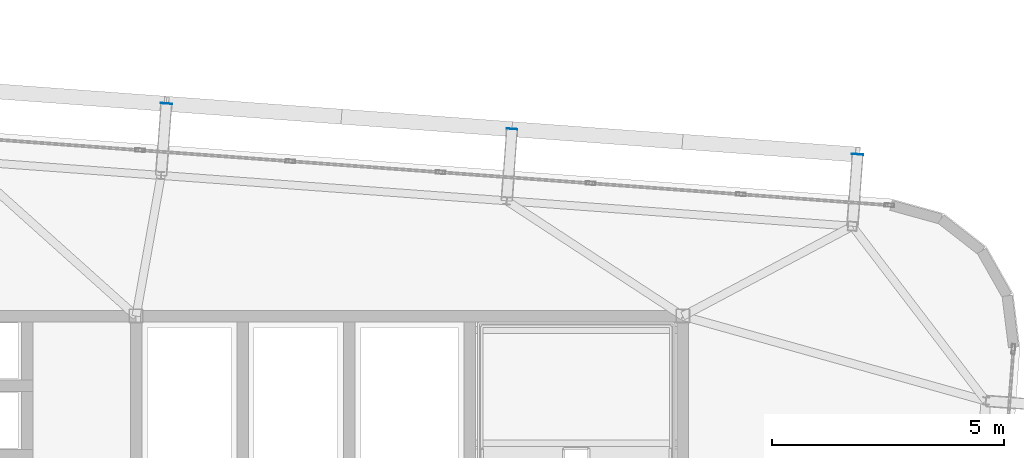
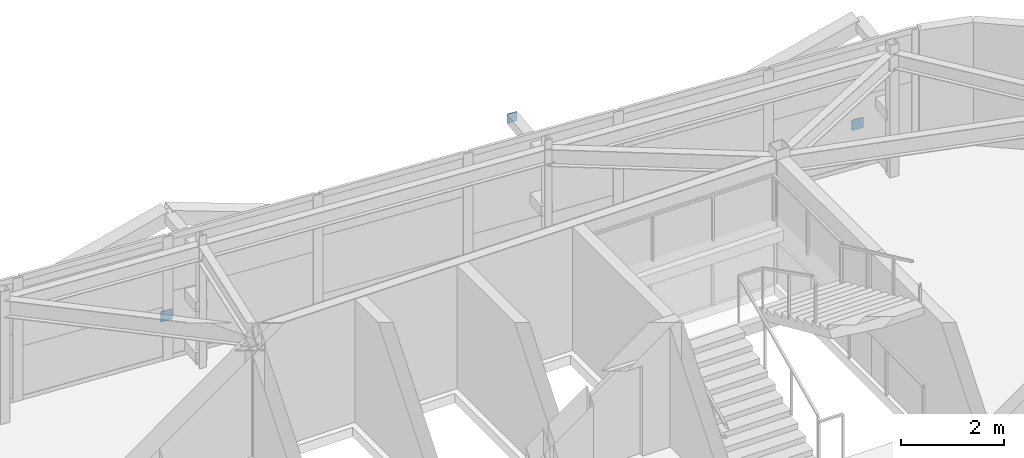
# One storey, part 37 of 42: 3 plates.
"""IFC4 building model written with IfcOpenShell, lengths in metres."""

from ifc_helpers import new_model, si_unit, direction, frame, origin, origin_2d, place, context, subcontext, project, spatial, rectangle, extrude, source, transform, mapped, material, layer, layer_set, type_object, element, save


model = new_model("IFC4")

# Units and contexts
model_context = context("Model", 3, precision=1e-05, world=origin(), true_north=direction((0.0, 1.0)))
body_context = subcontext(model_context, "Body", "Model", "MODEL_VIEW")
ifc_project = project(units=[si_unit("LENGTHUNIT", "METRE"), si_unit("AREAUNIT", "SQUARE_METRE"), si_unit("VOLUMEUNIT", "CUBIC_METRE"), si_unit("PLANEANGLEUNIT", "RADIAN"), si_unit("MASSUNIT", "GRAM", prefix="KILO")], contexts=[model_context])

# Site, building, storey
site_placement = place(None, origin())
site = spatial("IfcSite", under=ifc_project, at=site_placement, CompositionType="ELEMENT")
building_placement = place(site_placement, origin())
building = spatial("IfcBuilding", under=site, at=building_placement, Name="Taldren Reach Tower", CompositionType="ELEMENT")
storey_placement = place(building_placement, frame((0.0, 0.0, 224.0)))
storey = spatial("IfcBuildingStorey", under=building, at=storey_placement, Name="L68", CompositionType="ELEMENT", Elevation=224.0)

# Plates
ifc_material_1 = material(Name="Steel Gr 350 (C350L0)", Category="steel")
ifc_layer_1 = layer(ifc_material_1, 0.011962890625)
ifc_layer_set_1 = layer_set([ifc_layer_1], Name="Steel Gr 350 (C350L0)")
plate_type_1 = type_object("IfcPlateType", Name="PL-CAP-250", PredefinedType="SHEET", material=ifc_layer_set_1)
shared_shape_1 = source(origin(), body_context, "Body", "SweptSolid", [
    extrude(rectangle(XDim=0.25, YDim=0.011962890625, at=origin_2d()), origin(), (0.0, 0.0, 1.0), 0.25),
])
for number, where, z_axis, x_axis, name in (
    (1, (39.853515625, 36.587158203125, 0.094970703125), (0.0, 0.0, 1.0), (0.997314477224, -0.073238197128, 0.0), "Tie strut end cap plate B5-N4 L68"),
    (2, (54.773193359375, 35.49169921875, 0.094970703125), (0.0, 0.0, 1.0), (0.997314477224, -0.073238197128, 0.0), "Tie strut end cap plate B5-N6 L68"),
):
    element("IfcPlate", number, at=place(storey_placement, frame(where, z_axis=z_axis, x_axis=x_axis)), inside=storey, type_object=plate_type_1, Name=name, PredefinedType="SHEET", context=body_context, shape_type="MappedRepresentation", body=[
        mapped(shared_shape_1, transform((0.0, 0.0, 0.0), scale=1.0)),
    ])
ifc_material_2 = material(Name="Steel Gr 450 (C450L0)", Category="steel")
ifc_layer_2 = layer(ifc_material_2, 0.011962890625)
ifc_layer_set_2 = layer_set([ifc_layer_2], Name="Steel Gr 450 (C450L0)")
plate_type_2 = type_object("IfcPlateType", Name="PL-CAP-220", PredefinedType="SHEET", material=ifc_layer_set_2)
shared_shape_2 = source(origin(), body_context, "Body", "SweptSolid", [
    extrude(rectangle(XDim=0.219970703125, YDim=0.011962890625, at=origin_2d()), origin(), (0.0, 0.0, 1.0), 0.219970703125),
])
plate_placement = place(storey_placement, frame((47.3134765625, 36.039306640625, 2.5400390625), z_axis=(0.0, 0.0, 1.0), x_axis=(0.997314477224, -0.073238197128, 0.0)))
element("IfcPlate", 3, at=plate_placement, inside=storey, type_object=plate_type_2, Name="Tie strut end cap plate B5-N5 L68", PredefinedType="SHEET", context=body_context, shape_type="MappedRepresentation", body=[
    mapped(shared_shape_2, transform((0.0, 0.0, 0.0), scale=1.0)),
])

save(model, "model.ifc")
